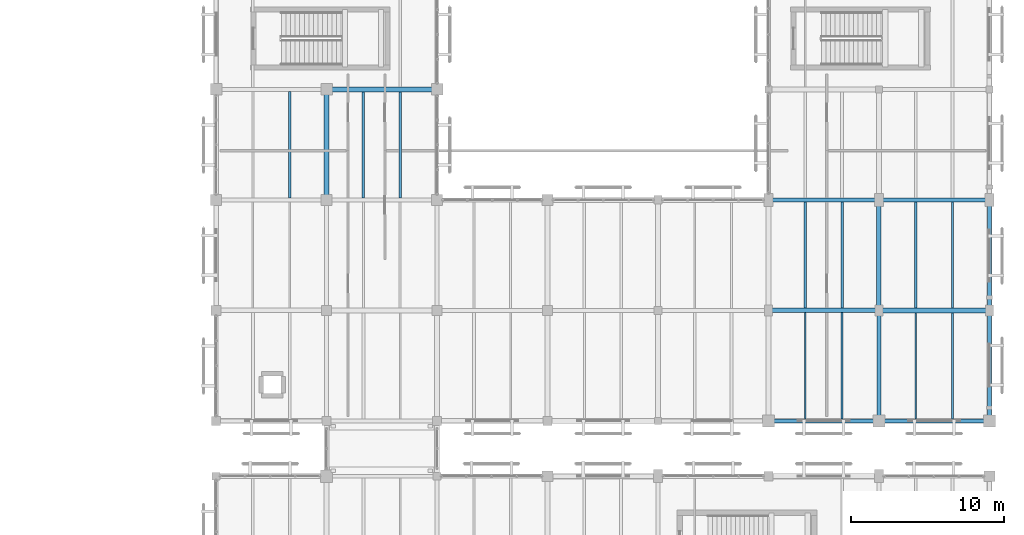
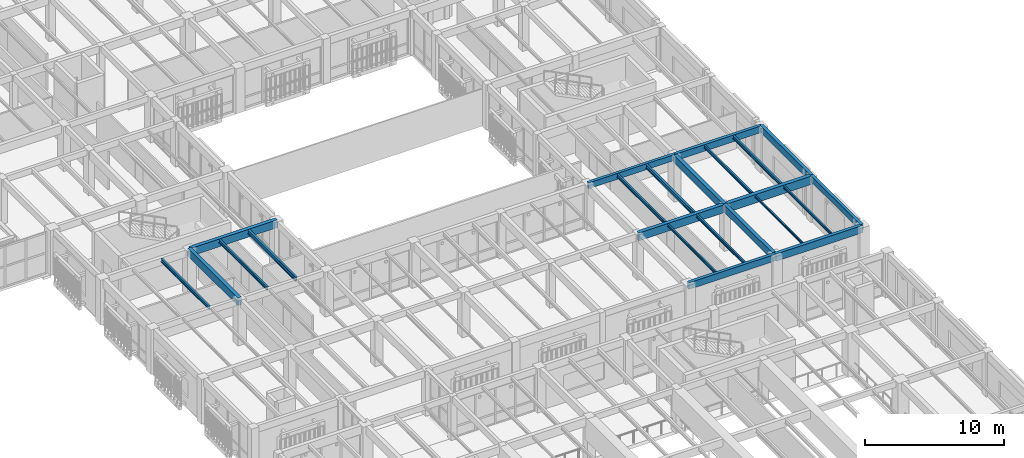
# One storey, part 101 of 170: 23 beams.
"""IFC4 building model written with IfcOpenShell, lengths in metres."""

from ifc_helpers import new_model, si_unit, direction, frame, origin, origin_2d, place, context, subcontext, project, spatial, rectangle, i_section, extrude, material, material_profile, profile_set, type_object, element, save


model = new_model("IFC4")

# Units and contexts
model_context = context("Model", 3, precision=1e-05, world=origin(), true_north=direction((0.0, 1.0)))
body_context = subcontext(model_context, "Body", "Model", "MODEL_VIEW")
ifc_project = project(units=[si_unit("LENGTHUNIT", "METRE"), si_unit("AREAUNIT", "SQUARE_METRE"), si_unit("VOLUMEUNIT", "CUBIC_METRE"), si_unit("PLANEANGLEUNIT", "RADIAN"), si_unit("MASSUNIT", "GRAM", prefix="KILO")], contexts=[model_context])

# Site, building, storey
site_placement = place(None, origin())
site = spatial("IfcSite", under=ifc_project, at=site_placement, CompositionType="ELEMENT")
building_placement = place(site_placement, origin())
building = spatial("IfcBuilding", under=site, at=building_placement, Name="Mazaris Harbour Polytechnic", CompositionType="ELEMENT")
storey_placement = place(building_placement, frame((0.0, 0.0, 5.39990234375)))
storey = spatial("IfcBuildingStorey", under=building, at=storey_placement, Name="L01", CompositionType="ELEMENT", Elevation=5.39990234375)

# Beams
ifc_material_1 = material(Name="Glulam GL32h", Category="wood")
ifc_material_profile_1 = material_profile(ifc_material_1, rectangle(XDim=0.239990234375, YDim=0.52001953125, at=origin_2d()), Name="RECT240x520")
ifc_profile_set_1 = profile_set([ifc_material_profile_1], Name="Glulam GL32h")
beam_type_1 = type_object("IfcBeamType", Name="Glulam Girder 240x520", PredefinedType="BEAM", material=ifc_profile_set_1)
beam_1_placement = place(storey_placement, frame((158.39990234375, 61.199951171875, 3.66015625), z_axis=(1.0, 0.0, 0.0), x_axis=(0.0, 1.0, 0.0)))
element("IfcBeam", 1, at=beam_1_placement, inside=storey, type_object=beam_type_1, Name="V5 L01 Girder 2925", PredefinedType="BEAM", context=body_context, shape_type="SweptSolid", body=[
    extrude(rectangle(XDim=0.239990234375, YDim=0.52001953125, at=origin_2d()), origin(), (0.0, 0.0, 1.0), 7.2001953125),
])
ifc_material_2 = material(Name="Glulam GL32h", Category="wood")
ifc_material_profile_2 = material_profile(ifc_material_2, rectangle(XDim=0.239990234375, YDim=0.52001953125, at=origin_2d()), Name="RECT240x520")
ifc_profile_set_2 = profile_set([ifc_material_profile_2], Name="Glulam GL32h")
beam_type_2 = type_object("IfcBeamType", Name="Glulam Girder 240x520 Exterior", PredefinedType="BEAM", material=ifc_profile_set_2)
beam_2_placement = place(storey_placement, frame((172.800048828125, 46.800048828125, 3.66015625), z_axis=(0.0, 1.0, 0.0), x_axis=(-1.0, 0.0, 0.0)))
element("IfcBeam", 2, at=beam_2_placement, inside=storey, type_object=beam_type_2, Name="V5 L01 Tie Girder 3020", PredefinedType="BEAM", context=body_context, shape_type="SweptSolid", body=[
    extrude(rectangle(XDim=0.239990234375, YDim=0.52001953125, at=origin_2d()), origin(), (0.0, 0.0, 1.0), 7.199951171875),
])
ifc_material_3 = material(Name="Glulam GL32h", Category="wood")
ifc_material_profile_3 = material_profile(ifc_material_3, rectangle(XDim=0.260009765625, YDim=0.580078125, at=origin_2d()), Name="RECT260x580")
ifc_profile_set_3 = profile_set([ifc_material_profile_3], Name="Glulam GL32h")
beam_type_3 = type_object("IfcBeamType", Name="Glulam Girder 260x580", PredefinedType="BEAM", material=ifc_profile_set_3)
beam_3_placement = place(storey_placement, frame((165.60009765625, 61.199951171875, 3.630126953125), z_axis=(1.0, 0.0, 0.0), x_axis=(0.0, 1.0, 0.0)))
element("IfcBeam", 3, at=beam_3_placement, inside=storey, type_object=beam_type_3, Name="V5 L01 Girder 2926", PredefinedType="BEAM", context=body_context, shape_type="SweptSolid", body=[
    extrude(rectangle(XDim=0.260009765625, YDim=0.580078125, at=origin_2d()), origin(), (0.0, 0.0, 1.0), 7.199951171875),
])
ifc_material_4 = material(Name="Glulam GL32h", Category="wood")
ifc_material_profile_4 = material_profile(ifc_material_4, rectangle(XDim=0.260009765625, YDim=0.580078125, at=origin_2d()), Name="RECT260x580")
ifc_profile_set_4 = profile_set([ifc_material_profile_4], Name="Glulam GL32h")
beam_type_4 = type_object("IfcBeamType", Name="Glulam Girder 260x580 Exterior", PredefinedType="BEAM", material=ifc_profile_set_4)
beam_4_placement = place(storey_placement, frame((158.39990234375, 46.800048828125, 3.630126953125), z_axis=(1.0, 0.0, 0.0), x_axis=(0.0, 1.0, 0.0)))
element("IfcBeam", 4, at=beam_4_placement, inside=storey, type_object=beam_type_4, Name="V5 L01 Girder 2911", PredefinedType="BEAM", context=body_context, shape_type="SweptSolid", body=[
    extrude(rectangle(XDim=0.260009765625, YDim=0.580078125, at=origin_2d()), origin(), (0.0, 0.0, 1.0), 7.2001953125),
])
beam_5_placement = place(storey_placement, frame((172.800048828125, 54.0, 3.630126953125), z_axis=(0.0, 1.0, 0.0), x_axis=(-1.0, 0.0, 0.0)))
element("IfcBeam", 5, at=beam_5_placement, inside=storey, type_object=beam_type_4, Name="V5 L01 Tie Girder 3021", PredefinedType="BEAM", context=body_context, shape_type="SweptSolid", body=[
    extrude(rectangle(XDim=0.260009765625, YDim=0.580078125, at=origin_2d()), origin(), (0.0, 0.0, 1.0), 7.199951171875),
])
ifc_material_5 = material(Name="Glulam GL32h", Category="wood")
ifc_material_profile_5 = material_profile(ifc_material_5, rectangle(XDim=0.280029296875, YDim=0.639892578125, at=origin_2d()), Name="RECT280x640")
ifc_profile_set_5 = profile_set([ifc_material_profile_5], Name="Glulam GL32h")
beam_type_5 = type_object("IfcBeamType", Name="Glulam Girder 280x640", PredefinedType="BEAM", material=ifc_profile_set_5)
beam_6_placement = place(storey_placement, frame((165.60009765625, 46.800048828125, 3.60009765625), z_axis=(0.0, 1.0, 0.0), x_axis=(-1.0, 0.0, 0.0)))
element("IfcBeam", 6, at=beam_6_placement, inside=storey, type_object=beam_type_5, Name="V5 L01 Tie Girder 3012", PredefinedType="BEAM", context=body_context, shape_type="SweptSolid", body=[
    extrude(rectangle(XDim=0.280029296875, YDim=0.639892578125, at=origin_2d()), origin(), (0.0, 0.0, 1.0), 7.199951171875),
])
ifc_material_6 = material(Name="Glulam GL32h", Category="wood")
ifc_material_profile_6 = material_profile(ifc_material_6, rectangle(XDim=0.280029296875, YDim=0.639892578125, at=origin_2d()), Name="RECT280x640")
ifc_profile_set_6 = profile_set([ifc_material_profile_6], Name="Glulam GL32h")
beam_type_6 = type_object("IfcBeamType", Name="Glulam Girder 280x640 Exterior", PredefinedType="BEAM", material=ifc_profile_set_6)
beam_7_placement = place(storey_placement, frame((165.60009765625, 46.800048828125, 3.60009765625), z_axis=(1.0, 0.0, 0.0), x_axis=(0.0, 1.0, 0.0)))
element("IfcBeam", 7, at=beam_7_placement, inside=storey, type_object=beam_type_6, Name="V5 L01 Girder 2912", PredefinedType="BEAM", context=body_context, shape_type="SweptSolid", body=[
    extrude(rectangle(XDim=0.280029296875, YDim=0.639892578125, at=origin_2d()), origin(), (0.0, 0.0, 1.0), 7.199951171875),
])
ifc_material_7 = material(Name="Glulam GL32h", Category="wood")
ifc_material_profile_7 = material_profile(ifc_material_7, rectangle(XDim=0.300048828125, YDim=0.679931640625, at=origin_2d()), Name="RECT300x680")
ifc_profile_set_7 = profile_set([ifc_material_profile_7], Name="Glulam GL32h")
beam_type_7 = type_object("IfcBeamType", Name="Glulam Girder 300x680", PredefinedType="BEAM", material=ifc_profile_set_7)
beam_8_placement = place(storey_placement, frame((158.39990234375, 54.0, 3.580078125), z_axis=(1.0, 0.0, 0.0), x_axis=(0.0, 1.0, 0.0)))
element("IfcBeam", 8, at=beam_8_placement, inside=storey, type_object=beam_type_7, Name="V5 L01 Girder 2918", PredefinedType="BEAM", context=body_context, shape_type="SweptSolid", body=[
    extrude(rectangle(XDim=0.300048828125, YDim=0.679931640625, at=origin_2d()), origin(), (0.0, 0.0, 1.0), 7.2001953125),
])
for number, where, z_axis, x_axis, name in (
    (9, (129.60009765625, 68.39990234375, 3.580078125), (1.0, 0.0, 0.0), (0.0, 1.0, 0.0), "V5 L01 Girder 2928"),
    (10, (129.60009765625, 61.199951171875, 3.580078125), (0.0, 1.0, 0.0), (-1.0, 0.0, 0.0), "V5 L01 Tie Girder 2978"),
    (11, (165.60009765625, 54.0, 3.580078125), (0.0, 1.0, 0.0), (-1.0, 0.0, 0.0), "V5 L01 Tie Girder 3013"),
):
    element("IfcBeam", number, at=place(storey_placement, frame(where, z_axis=z_axis, x_axis=x_axis)), inside=storey, type_object=beam_type_7, Name=name, PredefinedType="BEAM", context=body_context, shape_type="SweptSolid", body=[
        extrude(rectangle(XDim=0.300048828125, YDim=0.679931640625, at=origin_2d()), origin(), (0.0, 0.0, 1.0), 7.199951171875),
    ])
ifc_material_8 = material(Name="Glulam GL32h", Category="wood")
ifc_material_profile_8 = material_profile(ifc_material_8, rectangle(XDim=0.320068359375, YDim=0.739990234375, at=origin_2d()), Name="RECT320x740")
ifc_profile_set_8 = profile_set([ifc_material_profile_8], Name="Glulam GL32h")
beam_type_8 = type_object("IfcBeamType", Name="Glulam Girder 320x740", PredefinedType="BEAM", material=ifc_profile_set_8)
beam_9_placement = place(storey_placement, frame((165.60009765625, 54.0, 3.550048828125), z_axis=(1.0, 0.0, 0.0), x_axis=(0.0, 1.0, 0.0)))
element("IfcBeam", 12, at=beam_9_placement, inside=storey, type_object=beam_type_8, Name="V5 L01 Girder 2919", PredefinedType="BEAM", context=body_context, shape_type="SweptSolid", body=[
    extrude(rectangle(XDim=0.320068359375, YDim=0.739990234375, at=origin_2d()), origin(), (0.0, 0.0, 1.0), 7.199951171875),
])
ifc_material_9 = material(Name="Steel S355", Category="steel")
ifc_material_profile_9 = material_profile(ifc_material_9, i_section(OverallWidth=0.10009765625, OverallDepth=0.199951171875, WebThickness=0.005615234375, FlangeThickness=0.008544921875, FilletRadius=0.011962890625, at=origin_2d()), Name="IPE 200")
ifc_profile_set_9 = profile_set([ifc_material_profile_9], Name="Steel S355")
beam_type_9 = type_object("IfcBeamType", Name="Steel Joist IPE200", PredefinedType="JOIST", material=ifc_profile_set_9)
beam_10_placement = place(storey_placement, frame((168.0, 46.93994140625, 3.820068359375), z_axis=(0.0, 1.0, 0.0), x_axis=(-1.0, 0.0, 0.0)))
element("IfcBeam", 13, at=beam_10_placement, inside=storey, type_object=beam_type_9, Name="V5 L01 Floor Joist 3101", PredefinedType="JOIST", context=body_context, shape_type="SweptSolid", body=[
    extrude(i_section(OverallWidth=0.10009765625, OverallDepth=0.199951171875, WebThickness=0.005615234375, FlangeThickness=0.008544921875, FilletRadius=0.011962890625, at=origin_2d()), origin(), (0.0, 0.0, 1.0), 6.900146484375),
])
ifc_material_10 = material(Name="Steel S355", Category="steel")
ifc_material_profile_10 = material_profile(ifc_material_10, i_section(OverallWidth=0.1201171875, OverallDepth=0.239990234375, WebThickness=0.006103515625, FlangeThickness=0.009765625, FilletRadius=0.014892578125, at=origin_2d()), Name="IPE 240")
ifc_profile_set_10 = profile_set([ifc_material_profile_10], Name="Steel S355")
beam_type_10 = type_object("IfcBeamType", Name="Steel Joist IPE240", PredefinedType="JOIST", material=ifc_profile_set_10)
beam_11_placement = place(storey_placement, frame((160.800048828125, 46.929931640625, 3.800048828125), z_axis=(0.0, 1.0, 0.0), x_axis=(-1.0, 0.0, 0.0)))
element("IfcBeam", 14, at=beam_11_placement, inside=storey, type_object=beam_type_10, Name="V5 L01 Floor Joist 3088", PredefinedType="JOIST", context=body_context, shape_type="SweptSolid", body=[
    extrude(i_section(OverallWidth=0.1201171875, OverallDepth=0.239990234375, WebThickness=0.006103515625, FlangeThickness=0.009765625, FilletRadius=0.014892578125, at=origin_2d()), origin(), (0.0, 0.0, 1.0), 6.920166015625),
])
beam_12_placement = place(storey_placement, frame((170.39990234375, 46.93994140625, 3.800048828125), z_axis=(0.0, 1.0, 0.0), x_axis=(-1.0, 0.0, 0.0)))
element("IfcBeam", 15, at=beam_12_placement, inside=storey, type_object=beam_type_10, Name="V5 L01 Floor Joist 3102", PredefinedType="JOIST", context=body_context, shape_type="SweptSolid", body=[
    extrude(i_section(OverallWidth=0.1201171875, OverallDepth=0.239990234375, WebThickness=0.006103515625, FlangeThickness=0.009765625, FilletRadius=0.014892578125, at=origin_2d()), origin(), (0.0, 0.0, 1.0), 6.900146484375),
])
ifc_material_11 = material(Name="Steel S355", Category="steel")
ifc_material_profile_11 = material_profile(ifc_material_11, i_section(OverallWidth=0.135009765625, OverallDepth=0.27001953125, WebThickness=0.006591796875, FlangeThickness=0.01025390625, FilletRadius=0.014892578125, at=origin_2d()), Name="IPE 270")
ifc_profile_set_11 = profile_set([ifc_material_profile_11], Name="Steel S355")
beam_type_11 = type_object("IfcBeamType", Name="Steel Joist IPE270", PredefinedType="JOIST", material=ifc_profile_set_11)
beam_13_placement = place(storey_placement, frame((163.199951171875, 46.929931640625, 3.78515625), z_axis=(0.0, 1.0, 0.0), x_axis=(-1.0, 0.0, 0.0)))
element("IfcBeam", 16, at=beam_13_placement, inside=storey, type_object=beam_type_11, Name="V5 L01 Floor Joist 3089", PredefinedType="JOIST", context=body_context, shape_type="SweptSolid", body=[
    extrude(i_section(OverallWidth=0.135009765625, OverallDepth=0.27001953125, WebThickness=0.006591796875, FlangeThickness=0.01025390625, FilletRadius=0.014892578125, at=origin_2d()), origin(), (0.0, 0.0, 1.0), 6.920166015625),
])
beam_14_placement = place(storey_placement, frame((168.0, 54.159912109375, 3.78515625), z_axis=(0.0, 1.0, 0.0), x_axis=(-1.0, 0.0, 0.0)))
element("IfcBeam", 17, at=beam_14_placement, inside=storey, type_object=beam_type_11, Name="V5 L01 Floor Joist 3103", PredefinedType="JOIST", context=body_context, shape_type="SweptSolid", body=[
    extrude(i_section(OverallWidth=0.135009765625, OverallDepth=0.27001953125, WebThickness=0.006591796875, FlangeThickness=0.01025390625, FilletRadius=0.014892578125, at=origin_2d()), origin(), (0.0, 0.0, 1.0), 6.91015625),
])
ifc_material_12 = material(Name="Steel S355", Category="steel")
ifc_material_profile_12 = material_profile(ifc_material_12, i_section(OverallWidth=0.14990234375, OverallDepth=0.300048828125, WebThickness=0.007080078125, FlangeThickness=0.0107421875, FilletRadius=0.014892578125, at=origin_2d()), Name="IPE 300")
ifc_profile_set_12 = profile_set([ifc_material_profile_12], Name="Steel S355")
beam_type_12 = type_object("IfcBeamType", Name="Steel Joist IPE300", PredefinedType="JOIST", material=ifc_profile_set_12)
beam_15_placement = place(storey_placement, frame((127.199951171875, 61.320068359375, 3.77001953125), z_axis=(0.0, 1.0, 0.0), x_axis=(-1.0, 0.0, 0.0)))
element("IfcBeam", 18, at=beam_15_placement, inside=storey, type_object=beam_type_12, Name="V5 L01 Floor Joist 3034", PredefinedType="JOIST", context=body_context, shape_type="SweptSolid", body=[
    extrude(i_section(OverallWidth=0.14990234375, OverallDepth=0.300048828125, WebThickness=0.007080078125, FlangeThickness=0.0107421875, FilletRadius=0.014892578125, at=origin_2d()), origin(), (0.0, 0.0, 1.0), 6.93994140625),
])
beam_16_placement = place(storey_placement, frame((132.0, 61.330078125, 3.77001953125), z_axis=(0.0, 1.0, 0.0), x_axis=(-1.0, 0.0, 0.0)))
element("IfcBeam", 19, at=beam_16_placement, inside=storey, type_object=beam_type_12, Name="V5 L01 Floor Joist 3048", PredefinedType="JOIST", context=body_context, shape_type="SweptSolid", body=[
    extrude(i_section(OverallWidth=0.14990234375, OverallDepth=0.300048828125, WebThickness=0.007080078125, FlangeThickness=0.0107421875, FilletRadius=0.014892578125, at=origin_2d()), origin(), (0.0, 0.0, 1.0), 6.919921875),
])
beam_17_placement = place(storey_placement, frame((160.800048828125, 54.14990234375, 3.77001953125), z_axis=(0.0, 1.0, 0.0), x_axis=(-1.0, 0.0, 0.0)))
element("IfcBeam", 20, at=beam_17_placement, inside=storey, type_object=beam_type_12, Name="V5 L01 Floor Joist 3090", PredefinedType="JOIST", context=body_context, shape_type="SweptSolid", body=[
    extrude(i_section(OverallWidth=0.14990234375, OverallDepth=0.300048828125, WebThickness=0.007080078125, FlangeThickness=0.0107421875, FilletRadius=0.014892578125, at=origin_2d()), origin(), (0.0, 0.0, 1.0), 6.93017578125),
])
beam_18_placement = place(storey_placement, frame((170.39990234375, 54.159912109375, 3.77001953125), z_axis=(0.0, 1.0, 0.0), x_axis=(-1.0, 0.0, 0.0)))
element("IfcBeam", 21, at=beam_18_placement, inside=storey, type_object=beam_type_12, Name="V5 L01 Floor Joist 3104", PredefinedType="JOIST", context=body_context, shape_type="SweptSolid", body=[
    extrude(i_section(OverallWidth=0.14990234375, OverallDepth=0.300048828125, WebThickness=0.007080078125, FlangeThickness=0.0107421875, FilletRadius=0.014892578125, at=origin_2d()), origin(), (0.0, 0.0, 1.0), 6.91015625),
])
ifc_material_13 = material(Name="Steel S355", Category="steel")
ifc_material_profile_13 = material_profile(ifc_material_13, i_section(OverallWidth=0.169921875, OverallDepth=0.360107421875, WebThickness=0.008056640625, FlangeThickness=0.0126953125, FilletRadius=0.01806640625, at=origin_2d()), Name="IPE 360")
ifc_profile_set_13 = profile_set([ifc_material_profile_13], Name="Steel S355")
beam_type_13 = type_object("IfcBeamType", Name="Steel Joist IPE360", PredefinedType="JOIST", material=ifc_profile_set_13)
beam_19_placement = place(storey_placement, frame((134.39990234375, 61.330078125, 3.739990234375), z_axis=(0.0, 1.0, 0.0), x_axis=(-1.0, 0.0, 0.0)))
element("IfcBeam", 22, at=beam_19_placement, inside=storey, type_object=beam_type_13, Name="V5 L01 Floor Joist 3049", PredefinedType="JOIST", context=body_context, shape_type="SweptSolid", body=[
    extrude(i_section(OverallWidth=0.169921875, OverallDepth=0.360107421875, WebThickness=0.008056640625, FlangeThickness=0.0126953125, FilletRadius=0.01806640625, at=origin_2d()), origin(), (0.0, 0.0, 1.0), 6.919921875),
])
beam_20_placement = place(storey_placement, frame((163.199951171875, 54.14990234375, 3.739990234375), z_axis=(0.0, 1.0, 0.0), x_axis=(-1.0, 0.0, 0.0)))
element("IfcBeam", 23, at=beam_20_placement, inside=storey, type_object=beam_type_13, Name="V5 L01 Floor Joist 3091", PredefinedType="JOIST", context=body_context, shape_type="SweptSolid", body=[
    extrude(i_section(OverallWidth=0.169921875, OverallDepth=0.360107421875, WebThickness=0.008056640625, FlangeThickness=0.0126953125, FilletRadius=0.01806640625, at=origin_2d()), origin(), (0.0, 0.0, 1.0), 6.93017578125),
])

save(model, "model.ifc")
